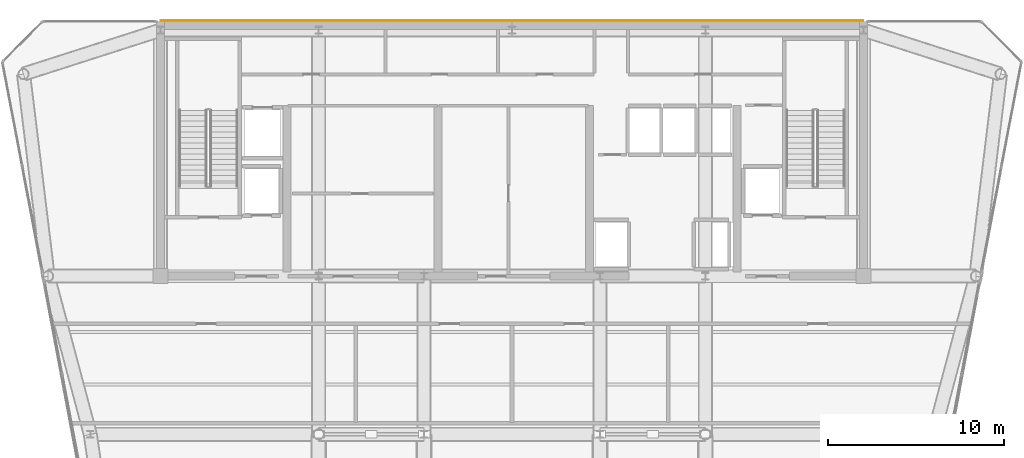
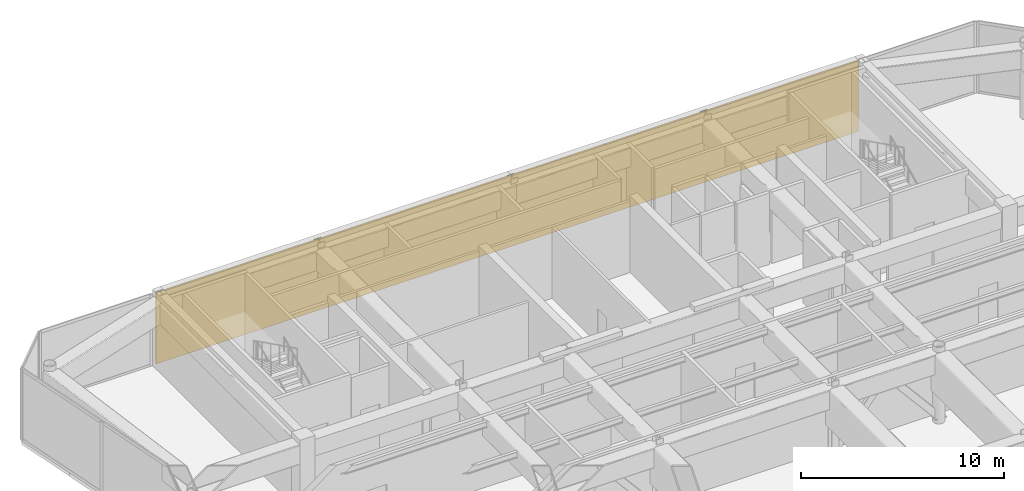
# One storey, part 14 of 14: 1 covering.
"""IFC4 building model written with IfcOpenShell, lengths in metres."""

from ifc_helpers import new_model, si_unit, direction, frame, origin, place, context, subcontext, project, spatial, polyline, outline, extrude, material, layer, layer_set, type_object, element, save


model = new_model("IFC4")

# Units and contexts
model_context = context("Model", 3, precision=1e-05, world=origin(), true_north=direction((0.0, 1.0)))
body_context = subcontext(model_context, "Body", "Model", "MODEL_VIEW")
ifc_project = project(units=[si_unit("LENGTHUNIT", "METRE"), si_unit("AREAUNIT", "SQUARE_METRE"), si_unit("VOLUMEUNIT", "CUBIC_METRE"), si_unit("PLANEANGLEUNIT", "RADIAN"), si_unit("MASSUNIT", "GRAM", prefix="KILO")], contexts=[model_context])

# Site, building, storey
site_placement = place(None, origin())
site = spatial("IfcSite", under=ifc_project, at=site_placement, CompositionType="ELEMENT")
building_placement = place(site_placement, origin())
building = spatial("IfcBuilding", under=site, at=building_placement, Name="Vaeldorn Concourse Tower", CompositionType="ELEMENT")
storey_placement = place(building_placement, frame((0.0, 0.0, 303.800048828125)))
storey = spatial("IfcBuildingStorey", under=building, at=storey_placement, Name="L78", CompositionType="ELEMENT", Elevation=303.800048828125)

# Covering
ifc_material = material(Name="Anodised Bronze Aluminium", Category="aluminium")
ifc_layer = layer(ifc_material, 0.050048828125)
ifc_layer_set = layer_set([ifc_layer], Name="Anodised Bronze Aluminium")
covering_type = type_object("IfcCoveringType", Name="COV-CLAD-BRONZE", PredefinedType="CLADDING", material=ifc_layer_set)
covering_placement = place(storey_placement, origin())
element("IfcCovering", 1, at=covering_placement, inside=storey, type_object=covering_type, Name="Rear Core Bronze Spandrel Cladding L78", PredefinedType="CLADDING", context=body_context, shape_type="SweptSolid", body=[
    extrude(outline(polyline([(14.0, 51.0), (54.0, 51.0), (54.0, 51.050048828125), (14.0, 51.050048828125), (14.0, 51.0)])), origin(), (0.0, 0.0, 1.0), 4.300048828125),
])

save(model, "model.ifc")
